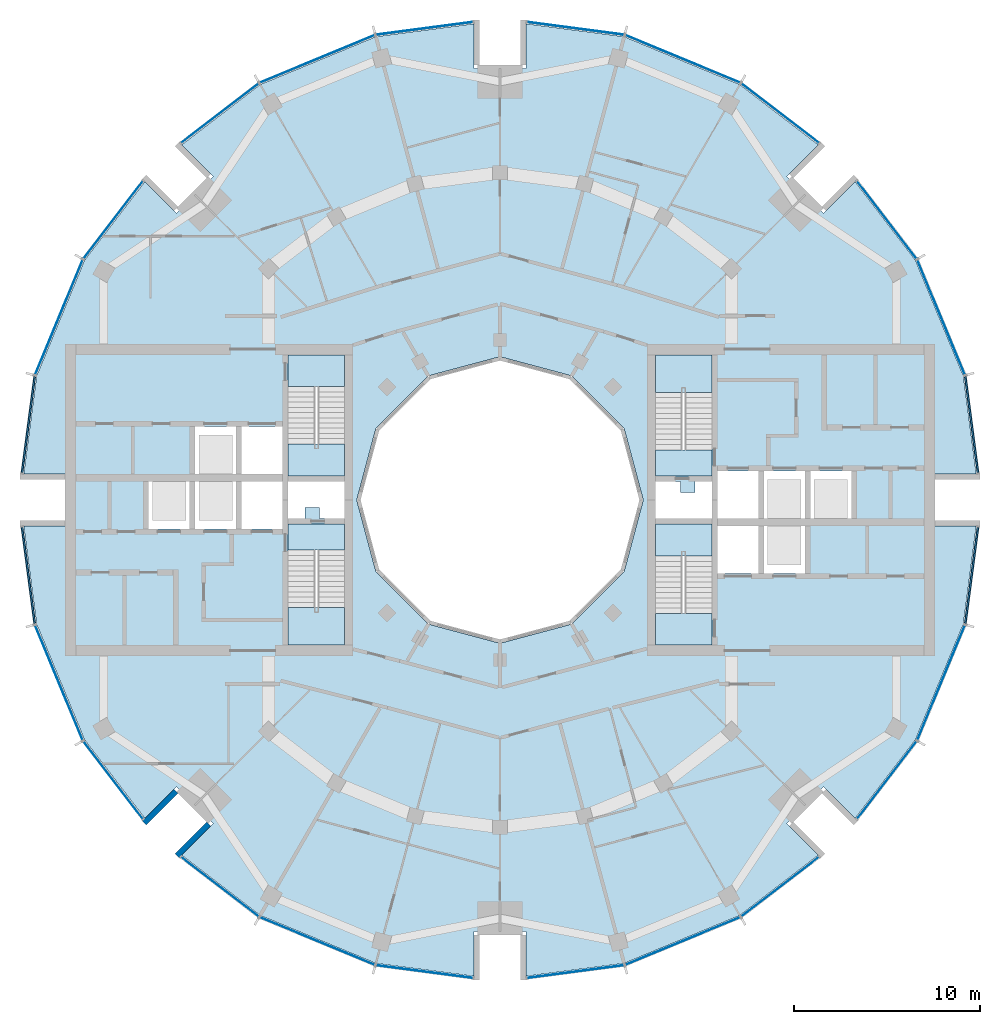
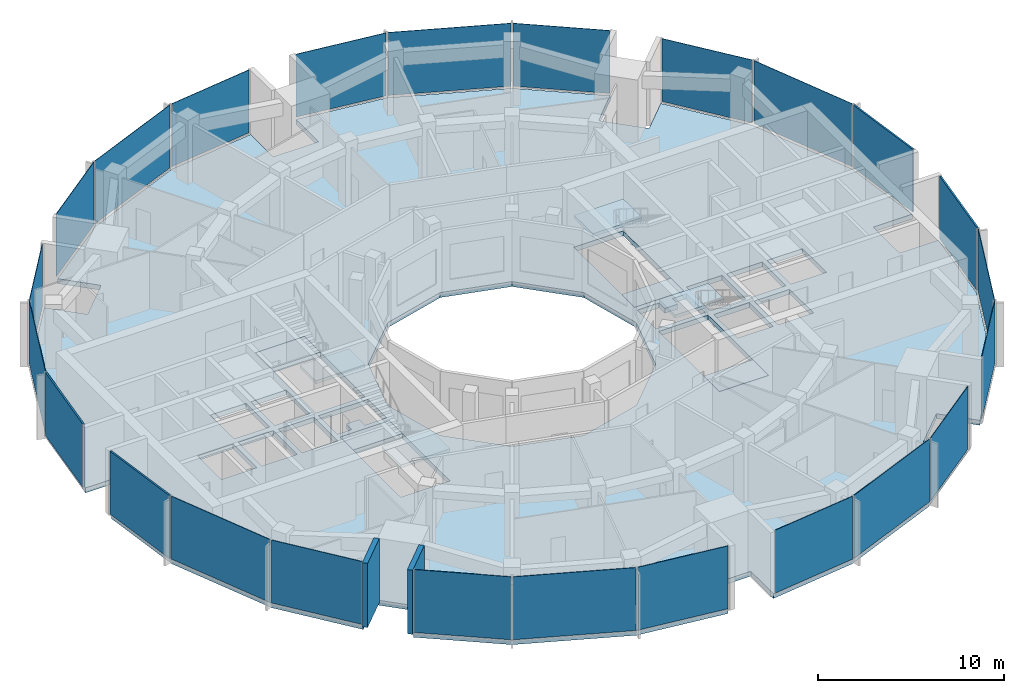
# One storey, part 7 of 15: 24 plates, 9 slabs, 2 walls, 28 elements without a shape of their own.
"""IFC4 building model written with IfcOpenShell, lengths in metres."""

from ifc_helpers import new_model, si_unit, direction, frame, frame_2d, origin, origin_2d, place, context, subcontext, project, spatial, polyline, rectangle, outline, extrude, material, layer, layer_set, type_object, element, aggregate, save


model = new_model("IFC4")

# Units and contexts
model_context = context("Model", 3, precision=1e-05, world=origin(), true_north=direction((0.0, 1.0)))
body_context = subcontext(model_context, "Body", "Model", "MODEL_VIEW")
ifc_project = project(units=[si_unit("LENGTHUNIT", "METRE"), si_unit("AREAUNIT", "SQUARE_METRE"), si_unit("VOLUMEUNIT", "CUBIC_METRE"), si_unit("PLANEANGLEUNIT", "RADIAN"), si_unit("MASSUNIT", "GRAM", prefix="KILO")], contexts=[model_context])

# Site, building, storey
site_placement = place(None, origin())
site = spatial("IfcSite", under=ifc_project, at=site_placement, CompositionType="ELEMENT")
building_placement = place(site_placement, origin())
building = spatial("IfcBuilding", under=site, at=building_placement, Name="Torre Brocal", CompositionType="ELEMENT")
storey_placement = place(building_placement, frame((0.0, 0.0, 237.300048828125)))
storey = spatial("IfcBuildingStorey", under=building, at=storey_placement, Name="L54", CompositionType="ELEMENT", Elevation=237.300048828125)

# Curtain wall, plate
ifc_material_1 = material(Name="Aluminium and glass", Category="aluminium")
ifc_layer_1 = layer(ifc_material_1, 0.199951171875)
ifc_layer_set_1 = layer_set([ifc_layer_1], Name="Aluminium and glass")
curtain_wall_type_1 = type_object("IfcCurtainWallType", Name="CW-1 CURTAIN WALL 4200 HIGH", PredefinedType="NOTDEFINED", material=ifc_layer_set_1)
curtain_wall_1_placement = place(storey_placement, origin())
curtain_wall_1 = element("IfcCurtainWall", 1, at=curtain_wall_1_placement, inside=storey, type_object=curtain_wall_type_1, Name="CW-1 RUN 2", PredefinedType="NOTDEFINED")
ifc_material_2 = material(Name="Glass, dark tinted laminated", Category="glass")
ifc_layer_2 = layer(ifc_material_2, 0.031982421875)
ifc_layer_set_2 = layer_set([ifc_layer_2], Name="Glass, dark tinted laminated")
plate_type_1 = type_object("IfcPlateType", Name="CW-1 GLASS PANEL 32", PredefinedType="CURTAIN_PANEL", material=ifc_layer_set_2)
plate_1_placement = place(storey_placement, frame((103.722900390625, 84.826416015625, 0.079833984375), z_axis=(0.0, 0.0, 1.0), x_axis=(-0.382683432333, 0.923879532525, 0.0)))
plate_1 = element("IfcPlate", 2, at=plate_1_placement, type_object=plate_type_1, Name="CW1-5 panel 1.1", PredefinedType="CURTAIN_PANEL", context=body_context, shape_type="SweptSolid", body=[
    extrude(rectangle(XDim=6.64111328125, YDim=0.031982421875, at=origin_2d()), origin(), (0.0, 0.0, 1.0), 4.1201171875),
])
aggregate(curtain_wall_1, [plate_1])

curtain_wall_2_placement = place(storey_placement, origin())
curtain_wall_2 = element("IfcCurtainWall", 3, at=curtain_wall_2_placement, inside=storey, type_object=curtain_wall_type_1, Name="CW-1 RUN 3", PredefinedType="NOTDEFINED")
plate_2_placement = place(storey_placement, frame((100.80126953125, 90.0712890625, 0.079833984375), z_axis=(0.0, 0.0, 1.0), x_axis=(-0.60876142905, 0.793353340259, 0.0)))
plate_2 = element("IfcPlate", 4, at=plate_2_placement, type_object=plate_type_1, Name="CW1-5 panel 1.1", PredefinedType="CURTAIN_PANEL", context=body_context, shape_type="SweptSolid", body=[
    extrude(rectangle(XDim=5.22900390625, YDim=0.031982421875, at=origin_2d()), origin(), (0.0, 0.0, 1.0), 4.1201171875),
])
aggregate(curtain_wall_2, [plate_2])

curtain_wall_3_placement = place(storey_placement, origin())
curtain_wall_3 = element("IfcCurtainWall", 5, at=curtain_wall_3_placement, inside=storey, type_object=curtain_wall_type_1, Name="CW-1 RUN 4", PredefinedType="NOTDEFINED")
plate_3_placement = place(storey_placement, frame((95.0712890625, 95.80126953125, 0.079833984375), z_axis=(0.0, 0.0, 1.0), x_axis=(-0.793353340259, 0.60876142905, 0.0)))
plate_3 = element("IfcPlate", 6, at=plate_3_placement, type_object=plate_type_1, Name="CW1-5 panel 1.1", PredefinedType="CURTAIN_PANEL", context=body_context, shape_type="SweptSolid", body=[
    extrude(rectangle(XDim=5.22900390625, YDim=0.031982421875, at=origin_2d()), origin(), (0.0, 0.0, 1.0), 4.1201171875),
])
aggregate(curtain_wall_3, [plate_3])

curtain_wall_4_placement = place(storey_placement, origin())
curtain_wall_4 = element("IfcCurtainWall", 7, at=curtain_wall_4_placement, inside=storey, type_object=curtain_wall_type_1, Name="CW-1 RUN 5", PredefinedType="NOTDEFINED")
plate_4_placement = place(storey_placement, frame((89.826416015625, 98.722900390625, 0.079833984375), z_axis=(0.0, 0.0, 1.0), x_axis=(-0.923879532525, 0.382683432333, 0.0)))
plate_4 = element("IfcPlate", 8, at=plate_4_placement, type_object=plate_type_1, Name="CW1-5 panel 1.1", PredefinedType="CURTAIN_PANEL", context=body_context, shape_type="SweptSolid", body=[
    extrude(rectangle(XDim=6.64111328125, YDim=0.031982421875, at=origin_2d()), origin(), (0.0, 0.0, 1.0), 4.1201171875),
])
aggregate(curtain_wall_4, [plate_4])

curtain_wall_5_placement = place(storey_placement, origin())
curtain_wall_5 = element("IfcCurtainWall", 9, at=curtain_wall_5_placement, inside=storey, type_object=curtain_wall_type_1, Name="CW-1 RUN 6", PredefinedType="NOTDEFINED")
plate_5_placement = place(storey_placement, frame((84.051513671875, 100.36572265625, 0.079833984375), z_axis=(0.0, 0.0, 1.0), x_axis=(-0.991444861374, 0.13052619222, 0.0)))
plate_5 = element("IfcPlate", 10, at=plate_5_placement, type_object=plate_type_1, Name="CW1-5 panel 1.1", PredefinedType="CURTAIN_PANEL", context=body_context, shape_type="SweptSolid", body=[
    extrude(rectangle(XDim=5.22900390625, YDim=0.031982421875, at=origin_2d()), origin(), (0.0, 0.0, 1.0), 4.1201171875),
])
aggregate(curtain_wall_5, [plate_5])

curtain_wall_6_placement = place(storey_placement, origin())
curtain_wall_6 = element("IfcCurtainWall", 11, at=curtain_wall_6_placement, inside=storey, type_object=curtain_wall_type_1, Name="CW-1 RUN 7", PredefinedType="NOTDEFINED")
plate_6_placement = place(storey_placement, frame((75.948486328125, 100.36572265625, 0.079833984375), z_axis=(0.0, 0.0, 1.0), x_axis=(-0.991444861374, -0.13052619222, 0.0)))
plate_6 = element("IfcPlate", 12, at=plate_6_placement, type_object=plate_type_1, Name="CW1-5 panel 1.1", PredefinedType="CURTAIN_PANEL", context=body_context, shape_type="SweptSolid", body=[
    extrude(rectangle(XDim=5.22900390625, YDim=0.031982421875, at=origin_2d()), origin(), (0.0, 0.0, 1.0), 4.1201171875),
])
aggregate(curtain_wall_6, [plate_6])

curtain_wall_7_placement = place(storey_placement, origin())
curtain_wall_7 = element("IfcCurtainWall", 13, at=curtain_wall_7_placement, inside=storey, type_object=curtain_wall_type_1, Name="CW-1 RUN 8", PredefinedType="NOTDEFINED")
plate_7_placement = place(storey_placement, frame((70.173583984375, 98.722900390625, 0.079833984375), z_axis=(0.0, 0.0, 1.0), x_axis=(-0.923879532525, -0.382683432333, 0.0)))
plate_7 = element("IfcPlate", 14, at=plate_7_placement, type_object=plate_type_1, Name="CW1-5 panel 1.1", PredefinedType="CURTAIN_PANEL", context=body_context, shape_type="SweptSolid", body=[
    extrude(rectangle(XDim=6.64111328125, YDim=0.031982421875, at=origin_2d()), origin(), (0.0, 0.0, 1.0), 4.1201171875),
])
aggregate(curtain_wall_7, [plate_7])

curtain_wall_8_placement = place(storey_placement, origin())
curtain_wall_8 = element("IfcCurtainWall", 15, at=curtain_wall_8_placement, inside=storey, type_object=curtain_wall_type_1, Name="CW-1 RUN 9", PredefinedType="NOTDEFINED")
plate_8_placement = place(storey_placement, frame((64.9287109375, 95.80126953125, 0.079833984375), z_axis=(0.0, 0.0, 1.0), x_axis=(-0.793353340259, -0.60876142905, 0.0)))
plate_8 = element("IfcPlate", 16, at=plate_8_placement, type_object=plate_type_1, Name="CW1-5 panel 1.1", PredefinedType="CURTAIN_PANEL", context=body_context, shape_type="SweptSolid", body=[
    extrude(rectangle(XDim=5.22900390625, YDim=0.031982421875, at=origin_2d()), origin(), (0.0, 0.0, 1.0), 4.1201171875),
])
aggregate(curtain_wall_8, [plate_8])

curtain_wall_9_placement = place(storey_placement, origin())
curtain_wall_9 = element("IfcCurtainWall", 17, at=curtain_wall_9_placement, inside=storey, type_object=curtain_wall_type_1, Name="CW-1 RUN 10", PredefinedType="NOTDEFINED")
plate_9_placement = place(storey_placement, frame((59.19873046875, 90.0712890625, 0.079833984375), z_axis=(0.0, 0.0, 1.0), x_axis=(-0.60876142905, -0.793353340259, 0.0)))
plate_9 = element("IfcPlate", 18, at=plate_9_placement, type_object=plate_type_1, Name="CW1-5 panel 1.1", PredefinedType="CURTAIN_PANEL", context=body_context, shape_type="SweptSolid", body=[
    extrude(rectangle(XDim=5.22900390625, YDim=0.031982421875, at=origin_2d()), origin(), (0.0, 0.0, 1.0), 4.1201171875),
])
aggregate(curtain_wall_9, [plate_9])

curtain_wall_10_placement = place(storey_placement, origin())
curtain_wall_10 = element("IfcCurtainWall", 19, at=curtain_wall_10_placement, inside=storey, type_object=curtain_wall_type_1, Name="CW-1 RUN 11", PredefinedType="NOTDEFINED")
plate_10_placement = place(storey_placement, frame((56.277099609375, 84.826416015625, 0.079833984375), z_axis=(0.0, 0.0, 1.0), x_axis=(-0.382683432333, -0.923879532525, 0.0)))
plate_10 = element("IfcPlate", 20, at=plate_10_placement, type_object=plate_type_1, Name="CW1-5 panel 1.1", PredefinedType="CURTAIN_PANEL", context=body_context, shape_type="SweptSolid", body=[
    extrude(rectangle(XDim=6.64111328125, YDim=0.031982421875, at=origin_2d()), origin(), (0.0, 0.0, 1.0), 4.1201171875),
])
aggregate(curtain_wall_10, [plate_10])

curtain_wall_11_placement = place(storey_placement, origin())
curtain_wall_11 = element("IfcCurtainWall", 21, at=curtain_wall_11_placement, inside=storey, type_object=curtain_wall_type_1, Name="CW-1 RUN 14", PredefinedType="NOTDEFINED")
plate_11_placement = place(storey_placement, frame((56.277099609375, 65.173583984375, 0.079833984375), z_axis=(0.0, 0.0, 1.0), x_axis=(0.382683432333, -0.923879532525, 0.0)))
plate_11 = element("IfcPlate", 22, at=plate_11_placement, type_object=plate_type_1, Name="CW1-5 panel 1.1", PredefinedType="CURTAIN_PANEL", context=body_context, shape_type="SweptSolid", body=[
    extrude(rectangle(XDim=6.64111328125, YDim=0.031982421875, at=origin_2d()), origin(), (0.0, 0.0, 1.0), 4.1201171875),
])
aggregate(curtain_wall_11, [plate_11])

curtain_wall_12_placement = place(storey_placement, origin())
curtain_wall_12 = element("IfcCurtainWall", 23, at=curtain_wall_12_placement, inside=storey, type_object=curtain_wall_type_1, Name="CW-1 RUN 15", PredefinedType="NOTDEFINED")
plate_12_placement = place(storey_placement, frame((59.19873046875, 59.9287109375, 0.079833984375), z_axis=(0.0, 0.0, 1.0), x_axis=(0.60876142905, -0.793353340259, 0.0)))
plate_12 = element("IfcPlate", 24, at=plate_12_placement, type_object=plate_type_1, Name="CW1-5 panel 1.1", PredefinedType="CURTAIN_PANEL", context=body_context, shape_type="SweptSolid", body=[
    extrude(rectangle(XDim=5.22900390625, YDim=0.031982421875, at=origin_2d()), origin(), (0.0, 0.0, 1.0), 4.1201171875),
])
aggregate(curtain_wall_12, [plate_12])

curtain_wall_13_placement = place(storey_placement, origin())
curtain_wall_13 = element("IfcCurtainWall", 25, at=curtain_wall_13_placement, inside=storey, type_object=curtain_wall_type_1, Name="CW-1 RUN 16", PredefinedType="NOTDEFINED")
plate_13_placement = place(storey_placement, frame((64.9287109375, 54.19873046875, 0.079833984375), z_axis=(0.0, 0.0, 1.0), x_axis=(0.793353340259, -0.60876142905, 0.0)))
plate_13 = element("IfcPlate", 26, at=plate_13_placement, type_object=plate_type_1, Name="CW1-5 panel 1.1", PredefinedType="CURTAIN_PANEL", context=body_context, shape_type="SweptSolid", body=[
    extrude(rectangle(XDim=5.22900390625, YDim=0.031982421875, at=origin_2d()), origin(), (0.0, 0.0, 1.0), 4.1201171875),
])
aggregate(curtain_wall_13, [plate_13])

curtain_wall_14_placement = place(storey_placement, origin())
curtain_wall_14 = element("IfcCurtainWall", 27, at=curtain_wall_14_placement, inside=storey, type_object=curtain_wall_type_1, Name="CW-1 RUN 17", PredefinedType="NOTDEFINED")
plate_14_placement = place(storey_placement, frame((70.173583984375, 51.277099609375, 0.079833984375), z_axis=(0.0, 0.0, 1.0), x_axis=(0.923879532525, -0.382683432333, 0.0)))
plate_14 = element("IfcPlate", 28, at=plate_14_placement, type_object=plate_type_1, Name="CW1-5 panel 1.1", PredefinedType="CURTAIN_PANEL", context=body_context, shape_type="SweptSolid", body=[
    extrude(rectangle(XDim=6.64111328125, YDim=0.031982421875, at=origin_2d()), origin(), (0.0, 0.0, 1.0), 4.1201171875),
])
aggregate(curtain_wall_14, [plate_14])

curtain_wall_15_placement = place(storey_placement, origin())
curtain_wall_15 = element("IfcCurtainWall", 29, at=curtain_wall_15_placement, inside=storey, type_object=curtain_wall_type_1, Name="CW-1 RUN 18", PredefinedType="NOTDEFINED")
plate_15_placement = place(storey_placement, frame((75.948486328125, 49.63427734375, 0.079833984375), z_axis=(0.0, 0.0, 1.0), x_axis=(0.991444861374, -0.13052619222, 0.0)))
plate_15 = element("IfcPlate", 30, at=plate_15_placement, type_object=plate_type_1, Name="CW1-5 panel 1.1", PredefinedType="CURTAIN_PANEL", context=body_context, shape_type="SweptSolid", body=[
    extrude(rectangle(XDim=5.22900390625, YDim=0.031982421875, at=origin_2d()), origin(), (0.0, 0.0, 1.0), 4.1201171875),
])
aggregate(curtain_wall_15, [plate_15])

curtain_wall_16_placement = place(storey_placement, origin())
curtain_wall_16 = element("IfcCurtainWall", 31, at=curtain_wall_16_placement, inside=storey, type_object=curtain_wall_type_1, Name="CW-1 RUN 19", PredefinedType="NOTDEFINED")
plate_16_placement = place(storey_placement, frame((84.051513671875, 49.63427734375, 0.079833984375), z_axis=(0.0, 0.0, 1.0), x_axis=(0.991444861374, 0.13052619222, 0.0)))
plate_16 = element("IfcPlate", 32, at=plate_16_placement, type_object=plate_type_1, Name="CW1-5 panel 1.1", PredefinedType="CURTAIN_PANEL", context=body_context, shape_type="SweptSolid", body=[
    extrude(rectangle(XDim=5.22900390625, YDim=0.031982421875, at=origin_2d()), origin(), (0.0, 0.0, 1.0), 4.1201171875),
])
aggregate(curtain_wall_16, [plate_16])

curtain_wall_17_placement = place(storey_placement, origin())
curtain_wall_17 = element("IfcCurtainWall", 33, at=curtain_wall_17_placement, inside=storey, type_object=curtain_wall_type_1, Name="CW-1 RUN 20", PredefinedType="NOTDEFINED")
plate_17_placement = place(storey_placement, frame((89.826416015625, 51.277099609375, 0.079833984375), z_axis=(0.0, 0.0, 1.0), x_axis=(0.923879532525, 0.382683432333, 0.0)))
plate_17 = element("IfcPlate", 34, at=plate_17_placement, type_object=plate_type_1, Name="CW1-5 panel 1.1", PredefinedType="CURTAIN_PANEL", context=body_context, shape_type="SweptSolid", body=[
    extrude(rectangle(XDim=6.64111328125, YDim=0.031982421875, at=origin_2d()), origin(), (0.0, 0.0, 1.0), 4.1201171875),
])
aggregate(curtain_wall_17, [plate_17])

curtain_wall_18_placement = place(storey_placement, origin())
curtain_wall_18 = element("IfcCurtainWall", 35, at=curtain_wall_18_placement, inside=storey, type_object=curtain_wall_type_1, Name="CW-1 RUN 21", PredefinedType="NOTDEFINED")
plate_18_placement = place(storey_placement, frame((95.0712890625, 54.19873046875, 0.079833984375), z_axis=(0.0, 0.0, 1.0), x_axis=(0.793353340259, 0.60876142905, 0.0)))
plate_18 = element("IfcPlate", 36, at=plate_18_placement, type_object=plate_type_1, Name="CW1-5 panel 1.1", PredefinedType="CURTAIN_PANEL", context=body_context, shape_type="SweptSolid", body=[
    extrude(rectangle(XDim=5.22900390625, YDim=0.031982421875, at=origin_2d()), origin(), (0.0, 0.0, 1.0), 4.1201171875),
])
aggregate(curtain_wall_18, [plate_18])

curtain_wall_19_placement = place(storey_placement, origin())
curtain_wall_19 = element("IfcCurtainWall", 37, at=curtain_wall_19_placement, inside=storey, type_object=curtain_wall_type_1, Name="CW-1 RUN 22", PredefinedType="NOTDEFINED")
plate_19_placement = place(storey_placement, frame((100.80126953125, 59.9287109375, 0.079833984375), z_axis=(0.0, 0.0, 1.0), x_axis=(0.60876142905, 0.793353340259, 0.0)))
plate_19 = element("IfcPlate", 38, at=plate_19_placement, type_object=plate_type_1, Name="CW1-5 panel 1.1", PredefinedType="CURTAIN_PANEL", context=body_context, shape_type="SweptSolid", body=[
    extrude(rectangle(XDim=5.22900390625, YDim=0.031982421875, at=origin_2d()), origin(), (0.0, 0.0, 1.0), 4.1201171875),
])
aggregate(curtain_wall_19, [plate_19])

curtain_wall_20_placement = place(storey_placement, origin())
curtain_wall_20 = element("IfcCurtainWall", 39, at=curtain_wall_20_placement, inside=storey, type_object=curtain_wall_type_1, Name="CW-1 RUN 23", PredefinedType="NOTDEFINED")
plate_20_placement = place(storey_placement, frame((103.722900390625, 65.173583984375, 0.079833984375), z_axis=(0.0, 0.0, 1.0), x_axis=(0.382683432333, 0.923879532525, 0.0)))
plate_20 = element("IfcPlate", 40, at=plate_20_placement, type_object=plate_type_1, Name="CW1-5 panel 1.1", PredefinedType="CURTAIN_PANEL", context=body_context, shape_type="SweptSolid", body=[
    extrude(rectangle(XDim=6.64111328125, YDim=0.031982421875, at=origin_2d()), origin(), (0.0, 0.0, 1.0), 4.1201171875),
])
aggregate(curtain_wall_20, [plate_20])

ifc_material_3 = material(Name="Aluminium and glass", Category="aluminium")
ifc_layer_3 = layer(ifc_material_3, 0.199951171875)
ifc_layer_set_3 = layer_set([ifc_layer_3], Name="Aluminium and glass")
curtain_wall_type_2 = type_object("IfcCurtainWallType", Name="CW-1B CURTAIN WALL 4200 HIGH", PredefinedType="NOTDEFINED", material=ifc_layer_set_3)
curtain_wall_21_placement = place(storey_placement, origin())
curtain_wall_21 = element("IfcCurtainWall", 41, at=curtain_wall_21_placement, inside=storey, type_object=curtain_wall_type_2, Name="CW-1B RUN 1", PredefinedType="NOTDEFINED")
ifc_material_4 = material(Name="Aluminium composite panel", Category="aluminium")
ifc_layer_4 = layer(ifc_material_4, 0.10009765625)
ifc_layer_set_4 = layer_set([ifc_layer_4], Name="Aluminium composite panel")
plate_type_2 = type_object("IfcPlateType", Name="CW-1B OPAQUE PANEL 100", PredefinedType="CURTAIN_PANEL", material=ifc_layer_set_4)
plate_21_placement = place(storey_placement, frame((105.36572265625, 79.051513671875, 0.079833984375), z_axis=(0.0, 0.0, 1.0), x_axis=(-0.13052619222, 0.991444861374, 0.0)))
plate_21 = element("IfcPlate", 42, at=plate_21_placement, type_object=plate_type_2, Name="CW1B-5 panel 1.1", PredefinedType="CURTAIN_PANEL", context=body_context, shape_type="SweptSolid", body=[
    extrude(rectangle(XDim=5.22900390625, YDim=0.10009765625, at=origin_2d()), origin(), (0.0, 0.0, 1.0), 4.1201171875),
])
aggregate(curtain_wall_21, [plate_21])

curtain_wall_22_placement = place(storey_placement, origin())
curtain_wall_22 = element("IfcCurtainWall", 43, at=curtain_wall_22_placement, inside=storey, type_object=curtain_wall_type_2, Name="CW-1B RUN 12", PredefinedType="NOTDEFINED")
plate_22_placement = place(storey_placement, frame((54.63427734375, 79.051513671875, 0.079833984375), z_axis=(0.0, 0.0, 1.0), x_axis=(-0.13052619222, -0.991444861374, 0.0)))
plate_22 = element("IfcPlate", 44, at=plate_22_placement, type_object=plate_type_2, Name="CW1B-5 panel 1.1", PredefinedType="CURTAIN_PANEL", context=body_context, shape_type="SweptSolid", body=[
    extrude(rectangle(XDim=5.22900390625, YDim=0.10009765625, at=origin_2d()), origin(), (0.0, 0.0, 1.0), 4.1201171875),
])
aggregate(curtain_wall_22, [plate_22])

curtain_wall_23_placement = place(storey_placement, origin())
curtain_wall_23 = element("IfcCurtainWall", 45, at=curtain_wall_23_placement, inside=storey, type_object=curtain_wall_type_2, Name="CW-1B RUN 13", PredefinedType="NOTDEFINED")
plate_23_placement = place(storey_placement, frame((54.63427734375, 70.948486328125, 0.079833984375), z_axis=(0.0, 0.0, 1.0), x_axis=(0.13052619222, -0.991444861374, 0.0)))
plate_23 = element("IfcPlate", 46, at=plate_23_placement, type_object=plate_type_2, Name="CW1B-5 panel 1.1", PredefinedType="CURTAIN_PANEL", context=body_context, shape_type="SweptSolid", body=[
    extrude(rectangle(XDim=5.22900390625, YDim=0.10009765625, at=origin_2d()), origin(), (0.0, 0.0, 1.0), 4.1201171875),
])
aggregate(curtain_wall_23, [plate_23])

curtain_wall_24_placement = place(storey_placement, origin())
curtain_wall_24 = element("IfcCurtainWall", 47, at=curtain_wall_24_placement, inside=storey, type_object=curtain_wall_type_2, Name="CW-1B RUN 24", PredefinedType="NOTDEFINED")
plate_24_placement = place(storey_placement, frame((105.36572265625, 70.948486328125, 0.079833984375), z_axis=(0.0, 0.0, 1.0), x_axis=(0.13052619222, 0.991444861374, 0.0)))
plate_24 = element("IfcPlate", 48, at=plate_24_placement, type_object=plate_type_2, Name="CW1B-5 panel 1.1", PredefinedType="CURTAIN_PANEL", context=body_context, shape_type="SweptSolid", body=[
    extrude(rectangle(XDim=5.22900390625, YDim=0.10009765625, at=origin_2d()), origin(), (0.0, 0.0, 1.0), 4.1201171875),
])
aggregate(curtain_wall_24, [plate_24])

# Stair, slab
ifc_material_5 = material(Name="Concrete C50", Category="concrete")
stair_type = type_object("IfcStairType", Name="EXIT STAIR", PredefinedType="HALF_TURN_STAIR", material=ifc_material_5)
stair_1_placement = place(storey_placement, origin())
stair_1 = element("IfcStair", 49, at=stair_1_placement, inside=storey, type_object=stair_type, Name="EXIT STAIR ST1", PredefinedType="HALF_TURN_STAIR")
ifc_material_6 = material(Name="Concrete C50", Category="concrete")
ifc_layer_5 = layer(ifc_material_6, 0.320068359375)
ifc_layer_set_5 = layer_set([ifc_layer_5], Name="Concrete C50")
slab_type_1 = type_object("IfcSlabType", Name="FLOOR LANDING 320", PredefinedType="LANDING", material=ifc_layer_set_5)
slab_1_placement = place(storey_placement, frame((0.0, 0.0, -0.320068359375)))
slab_1 = element("IfcSlab", 50, at=slab_1_placement, type_object=slab_type_1, Name="ST1 landing 1", PredefinedType="LANDING", context=body_context, shape_type="SweptSolid", body=[
    extrude(outline(polyline([(88.35009765625, 76.300048828125), (91.39990234375, 76.300048828125), (91.39990234375, 77.699951171875), (88.35009765625, 77.699951171875), (88.35009765625, 76.300048828125)])), origin(), (0.0, 0.0, 1.0), 0.320068359375),
])

stair_2_placement = place(storey_placement, origin())
stair_2 = element("IfcStair", 51, at=stair_2_placement, inside=storey, type_object=stair_type, Name="EXIT STAIR ST2", PredefinedType="HALF_TURN_STAIR")
slab_2_placement = place(storey_placement, frame((0.0, 0.0, -0.320068359375)))
slab_2 = element("IfcSlab", 52, at=slab_2_placement, type_object=slab_type_1, Name="ST2 landing 1", PredefinedType="LANDING", context=body_context, shape_type="SweptSolid", body=[
    extrude(outline(polyline([(88.35009765625, 67.199951171875), (91.39990234375, 67.199951171875), (91.39990234375, 68.89990234375), (88.35009765625, 68.89990234375), (88.35009765625, 67.199951171875)])), origin(), (0.0, 0.0, 1.0), 0.320068359375),
])

stair_3_placement = place(storey_placement, origin())
stair_3 = element("IfcStair", 53, at=stair_3_placement, inside=storey, type_object=stair_type, Name="EXIT STAIR ST3", PredefinedType="HALF_TURN_STAIR")
slab_3_placement = place(storey_placement, frame((0.0, 0.0, -0.320068359375)))
slab_3 = element("IfcSlab", 54, at=slab_3_placement, type_object=slab_type_1, Name="ST3 landing 1", PredefinedType="LANDING", context=body_context, shape_type="SweptSolid", body=[
    extrude(outline(polyline([(71.64990234375, 73.699951171875), (68.60009765625, 73.699951171875), (68.60009765625, 72.300048828125), (71.64990234375, 72.300048828125), (71.64990234375, 73.699951171875)])), origin(), (0.0, 0.0, 1.0), 0.320068359375),
])

stair_4_placement = place(storey_placement, origin())
stair_4 = element("IfcStair", 55, at=stair_4_placement, inside=storey, type_object=stair_type, Name="EXIT STAIR ST4", PredefinedType="HALF_TURN_STAIR")
slab_4_placement = place(storey_placement, frame((0.0, 0.0, -0.320068359375)))
slab_4 = element("IfcSlab", 56, at=slab_4_placement, type_object=slab_type_1, Name="ST4 landing 1", PredefinedType="LANDING", context=body_context, shape_type="SweptSolid", body=[
    extrude(outline(polyline([(71.64990234375, 82.800048828125), (68.60009765625, 82.800048828125), (68.60009765625, 81.10009765625), (71.64990234375, 81.10009765625), (71.64990234375, 82.800048828125)])), origin(), (0.0, 0.0, 1.0), 0.320068359375),
])

# Slab
ifc_material_7 = material(Name="Concrete C50", Category="concrete")
ifc_layer_6 = layer(ifc_material_7, 0.199951171875)
ifc_layer_set_6 = layer_set([ifc_layer_6], Name="Concrete C50")
slab_type_2 = type_object("IfcSlabType", Name="MID LANDING +2100", PredefinedType="LANDING", material=ifc_layer_set_6)
slab_5_placement = place(storey_placement, frame((0.0, 0.0, 1.89990234375)))
slab_5 = element("IfcSlab", 57, at=slab_5_placement, type_object=slab_type_2, Name="ST1 landing 2", PredefinedType="LANDING", context=body_context, shape_type="SweptSolid", body=[
    extrude(outline(polyline([(88.35009765625, 80.780029296875), (91.39990234375, 80.780029296875), (91.39990234375, 82.800048828125), (88.35009765625, 82.800048828125), (88.35009765625, 80.780029296875)])), origin(), (0.0, 0.0, 1.0), 0.199951171875),
])

aggregate(stair_1, [slab_1, slab_5])

slab_6_placement = place(storey_placement, frame((0.0, 0.0, 1.89990234375)))
slab_6 = element("IfcSlab", 58, at=slab_6_placement, type_object=slab_type_2, Name="ST2 landing 2", PredefinedType="LANDING", context=body_context, shape_type="SweptSolid", body=[
    extrude(outline(polyline([(88.35009765625, 71.97998046875), (91.39990234375, 71.97998046875), (91.39990234375, 73.699951171875), (88.35009765625, 73.699951171875), (88.35009765625, 71.97998046875)])), origin(), (0.0, 0.0, 1.0), 0.199951171875),
])

aggregate(stair_2, [slab_2, slab_6])

slab_7_placement = place(storey_placement, frame((0.0, 0.0, 1.89990234375)))
slab_7 = element("IfcSlab", 59, at=slab_7_placement, type_object=slab_type_2, Name="ST3 landing 2", PredefinedType="LANDING", context=body_context, shape_type="SweptSolid", body=[
    extrude(outline(polyline([(71.64990234375, 69.219970703125), (68.60009765625, 69.219970703125), (68.60009765625, 67.199951171875), (71.64990234375, 67.199951171875), (71.64990234375, 69.219970703125)])), origin(), (0.0, 0.0, 1.0), 0.199951171875),
])

aggregate(stair_3, [slab_3, slab_7])

slab_8_placement = place(storey_placement, frame((0.0, 0.0, 1.89990234375)))
slab_8 = element("IfcSlab", 60, at=slab_8_placement, type_object=slab_type_2, Name="ST4 landing 2", PredefinedType="LANDING", context=body_context, shape_type="SweptSolid", body=[
    extrude(outline(polyline([(71.64990234375, 78.02001953125), (68.60009765625, 78.02001953125), (68.60009765625, 76.300048828125), (71.64990234375, 76.300048828125), (71.64990234375, 78.02001953125)])), origin(), (0.0, 0.0, 1.0), 0.199951171875),
])

aggregate(stair_4, [slab_4, slab_8])

ifc_material_8 = material(Name="Concrete C45", Category="concrete")
ifc_layer_7 = layer(ifc_material_8, 0.320068359375)
ifc_layer_set_7 = layer_set([ifc_layer_7], Name="Concrete C45")
slab_type_3 = type_object("IfcSlabType", Name="PT FLOOR SLAB 320 C45", PredefinedType="FLOOR", material=ifc_layer_set_7)
slab_9_placement = place(storey_placement, frame((0.0, 0.0, -0.320068359375)))
element("IfcSlab", 61, at=slab_9_placement, inside=storey, type_object=slab_type_3, Name="Slab ST-05", PredefinedType="FLOOR", context=body_context, shape_type="SweptSolid", body=[
    extrude(outline(polyline([(103.199951171875, 76.39990234375), (103.199951171875, 73.60009765625), (105.614013671875, 73.60009765625), (104.919189453125, 68.322998046875), (102.342041015625, 62.100830078125), (99.101806640625, 57.878173828125), (97.394775390625, 59.5849609375), (95.4150390625, 57.605224609375), (97.121826171875, 55.898193359375), (92.899169921875, 52.657958984375), (86.677001953125, 50.080810546875), (81.39990234375, 49.385986328125), (81.39990234375, 51.800048828125), (78.60009765625, 51.800048828125), (78.60009765625, 49.385986328125), (73.322998046875, 50.080810546875), (67.100830078125, 52.657958984375), (62.878173828125, 55.898193359375), (64.5849609375, 57.605224609375), (62.605224609375, 59.5849609375), (60.898193359375, 57.878173828125), (57.657958984375, 62.100830078125), (55.080810546875, 68.322998046875), (54.385986328125, 73.60009765625), (56.800048828125, 73.60009765625), (56.800048828125, 76.39990234375), (54.385986328125, 76.39990234375), (55.080810546875, 81.677001953125), (57.657958984375, 87.899169921875), (60.898193359375, 92.121826171875), (62.605224609375, 90.4150390625), (64.5849609375, 92.394775390625), (62.878173828125, 94.101806640625), (67.100830078125, 97.342041015625), (73.322998046875, 99.919189453125), (78.60009765625, 100.614013671875), (78.60009765625, 98.199951171875), (81.39990234375, 98.199951171875), (81.39990234375, 100.614013671875), (86.677001953125, 99.919189453125), (92.899169921875, 97.342041015625), (97.121826171875, 94.101806640625), (95.4150390625, 92.394775390625), (97.394775390625, 90.4150390625), (99.101806640625, 92.121826171875), (102.342041015625, 87.899169921875), (104.919189453125, 81.677001953125), (105.614013671875, 76.39990234375), (103.199951171875, 76.39990234375)]), holes=[polyline([(98.89990234375, 76.550048828125), (96.699951171875, 76.550048828125), (96.699951171875, 74.0), (98.89990234375, 74.0), (98.89990234375, 76.550048828125)]), polyline([(96.39990234375, 76.550048828125), (94.199951171875, 76.550048828125), (94.199951171875, 74.0), (96.39990234375, 74.0), (96.39990234375, 76.550048828125)]), polyline([(96.39990234375, 73.60009765625), (94.199951171875, 73.60009765625), (94.199951171875, 71.050048828125), (96.39990234375, 71.050048828125), (96.39990234375, 73.60009765625)]), polyline([(93.89990234375, 76.550048828125), (91.699951171875, 76.550048828125), (91.699951171875, 74.0), (93.89990234375, 74.0), (93.89990234375, 76.550048828125)]), polyline([(93.89990234375, 73.60009765625), (91.699951171875, 73.60009765625), (91.699951171875, 71.050048828125), (93.89990234375, 71.050048828125), (93.89990234375, 73.60009765625)]), polyline([(89.699951171875, 76.0), (88.35009765625, 76.0), (88.35009765625, 74.0), (91.39990234375, 74.0), (91.39990234375, 76.0), (90.5, 76.0), (90.5, 75.39990234375), (89.699951171875, 75.39990234375), (89.699951171875, 76.0)]), polyline([(91.39990234375, 82.800048828125), (88.35009765625, 82.800048828125), (88.35009765625, 76.300048828125), (91.39990234375, 76.300048828125), (91.39990234375, 82.800048828125)]), polyline([(91.39990234375, 73.699951171875), (88.35009765625, 73.699951171875), (88.35009765625, 67.199951171875), (91.39990234375, 67.199951171875), (91.39990234375, 73.699951171875)]), polyline([(80.0, 82.70703125), (76.146484375, 81.674560546875), (73.325439453125, 78.853515625), (72.29296875, 75.0), (73.325439453125, 71.146484375), (76.146484375, 68.325439453125), (80.0, 67.29296875), (83.853515625, 68.325439453125), (86.674560546875, 71.146484375), (87.70703125, 75.0), (86.674560546875, 78.853515625), (83.853515625, 81.674560546875), (80.0, 82.70703125)]), polyline([(70.300048828125, 74.0), (71.64990234375, 74.0), (71.64990234375, 76.0), (68.60009765625, 76.0), (68.60009765625, 74.0), (69.5, 74.0), (69.5, 74.60009765625), (70.300048828125, 74.60009765625), (70.300048828125, 74.0)]), polyline([(68.60009765625, 76.300048828125), (71.64990234375, 76.300048828125), (71.64990234375, 82.800048828125), (68.60009765625, 82.800048828125), (68.60009765625, 76.300048828125)]), polyline([(68.60009765625, 67.199951171875), (71.64990234375, 67.199951171875), (71.64990234375, 73.699951171875), (68.60009765625, 73.699951171875), (68.60009765625, 67.199951171875)]), polyline([(66.10009765625, 76.39990234375), (68.300048828125, 76.39990234375), (68.300048828125, 78.949951171875), (66.10009765625, 78.949951171875), (66.10009765625, 76.39990234375)]), polyline([(66.10009765625, 73.449951171875), (68.300048828125, 73.449951171875), (68.300048828125, 76.0), (66.10009765625, 76.0), (66.10009765625, 73.449951171875)]), polyline([(63.60009765625, 76.39990234375), (65.800048828125, 76.39990234375), (65.800048828125, 78.949951171875), (63.60009765625, 78.949951171875), (63.60009765625, 76.39990234375)]), polyline([(63.60009765625, 73.449951171875), (65.800048828125, 73.449951171875), (65.800048828125, 76.0), (63.60009765625, 76.0), (63.60009765625, 73.449951171875)]), polyline([(61.10009765625, 73.449951171875), (63.300048828125, 73.449951171875), (63.300048828125, 76.0), (61.10009765625, 76.0), (61.10009765625, 73.449951171875)])]), origin(), (0.0, 0.0, 1.0), 0.320068359375),
])

# Walls
ifc_material_9 = material(Name="Concrete C60", Category="concrete")
ifc_layer_8 = layer(ifc_material_9, 0.300048828125)
ifc_layer_set_8 = layer_set([ifc_layer_8], Name="Concrete C60")
wall_type = type_object("IfcWallType", Name="NOTCH RETURN WALL 300 C60", PredefinedType="NOTDEFINED", material=ifc_layer_set_8)
for number, where, z_axis, x_axis, name in (
    (62, (62.56982421875, 59.337646484375, 0.0), (0.0, 0.0, 1.0), (-0.707106781187, -0.707106781187, 0.0), "NOTCH RETURN WALL"),
    (63, (64.337646484375, 57.56982421875, 0.0), (0.0, 0.0, 1.0), (-0.707106781187, -0.707106781187, 0.0), "NOTCH RETURN WALL"),
):
    element("IfcWall", number, at=place(storey_placement, frame(where, z_axis=z_axis, x_axis=x_axis)), inside=storey, type_object=wall_type, Name=name, PredefinedType="NOTDEFINED", context=body_context, shape_type="SweptSolid", body=[
        extrude(rectangle(XDim=2.415771484375, YDim=0.300048828125, at=frame_2d((1.2080078125, 0.0))), origin(), (0.0, 0.0, 1.0), 4.199951171875),
    ])

save(model, "model.ifc")
